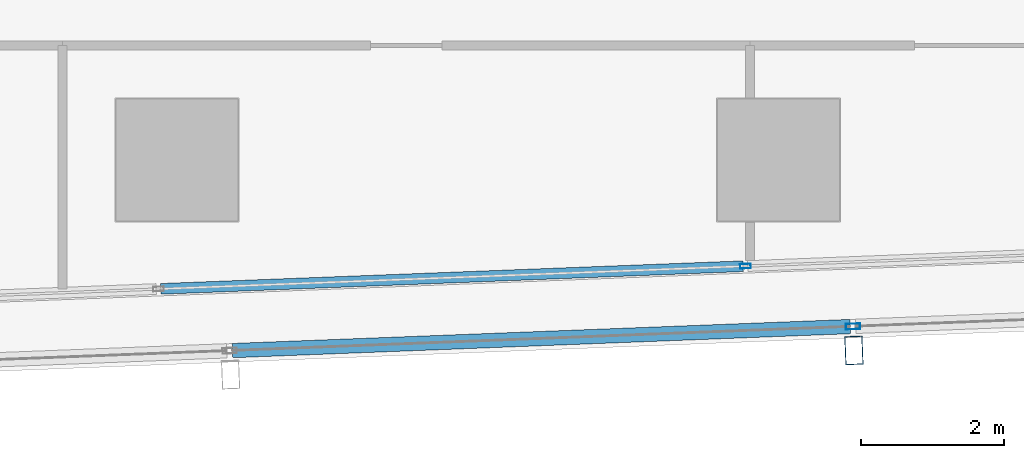
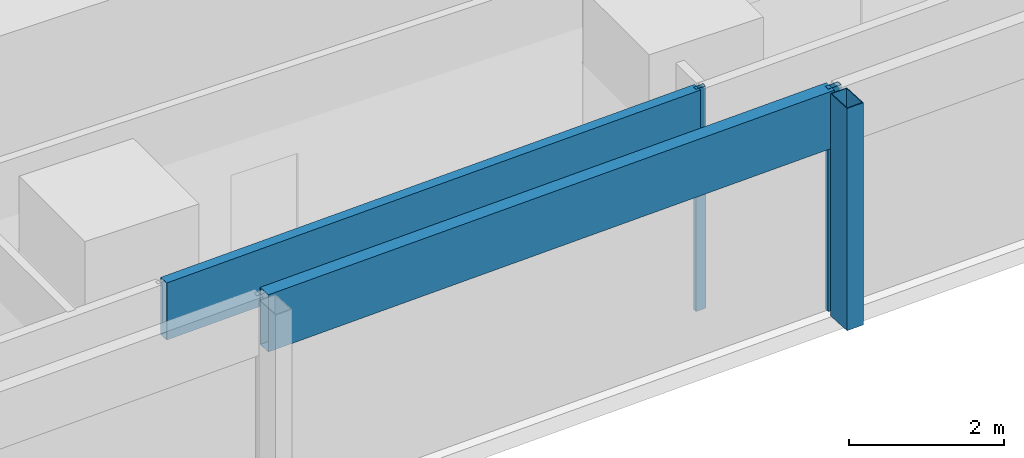
# One storey, part 10 of 40: 5 members, 2 elements without a shape of their own.
"""IFC4 building model written with IfcOpenShell, lengths in metres."""

from ifc_helpers import new_model, si_unit, direction, frame, origin, origin_2d, place, context, subcontext, project, spatial, hollow_rectangle, extrude, material, material_profile, profile_set, type_object, element, aggregate, save


model = new_model("IFC4")

# Units and contexts
model_context = context("Model", 3, precision=1e-05, world=origin(), true_north=direction((0.0, 1.0)))
body_context = subcontext(model_context, "Body", "Model", "MODEL_VIEW")
ifc_project = project(units=[si_unit("LENGTHUNIT", "METRE"), si_unit("AREAUNIT", "SQUARE_METRE"), si_unit("VOLUMEUNIT", "CUBIC_METRE"), si_unit("PLANEANGLEUNIT", "RADIAN"), si_unit("MASSUNIT", "GRAM", prefix="KILO")], contexts=[model_context])

# Site, building, storey
site_placement = place(None, origin())
site = spatial("IfcSite", under=ifc_project, at=site_placement, CompositionType="ELEMENT")
building_placement = place(site_placement, origin())
building = spatial("IfcBuilding", under=site, at=building_placement, Name="Rekha Terrace Tower", CompositionType="ELEMENT")
storey_placement = place(building_placement, frame((0.0, 0.0, 129.050048828125)))
storey = spatial("IfcBuildingStorey", under=building, at=storey_placement, Name="L32", CompositionType="ELEMENT", Elevation=129.050048828125)

# Curtain wall, member
ifc_material_1 = material(Name="Aluminium framing", Category="aluminium")
curtain_wall_type_1 = type_object("IfcCurtainWallType", Name="CW2 double skin outer glazing", PredefinedType="USERDEFINED", material=ifc_material_1)
curtain_wall_1_placement = place(storey_placement, origin())
curtain_wall_1 = element("IfcCurtainWall", 1, at=curtain_wall_1_placement, inside=storey, type_object=curtain_wall_type_1, Name="CW2 double skin outer glazing", ObjectType="DOUBLE SKIN OUTER GLAZING", PredefinedType="USERDEFINED")
ifc_material_2 = material(Name="Steel S355 with fluorocarbon finish", Category="steel")
ifc_material_profile_1 = material_profile(ifc_material_2, hollow_rectangle(XDim=0.25, YDim=0.39990234375, WallThickness=0.012451171875, at=origin_2d()), Name="RHS400x250x12.5")
ifc_profile_set_1 = profile_set([ifc_material_profile_1], Name="Steel S355 with fluorocarbon finish")
member_type_1 = type_object("IfcMemberType", Name="BL1 facade blade RHS 400 x 250", PredefinedType="USERDEFINED", material=ifc_profile_set_1)
member_1_placement = place(storey_placement, frame((51.4521484375, 14.141845703125, 0.0), z_axis=(0.0, 0.0, 1.0), x_axis=(0.999243494356, 0.038890088543, 0.0)))
member_1 = element("IfcMember", 2, at=member_1_placement, type_object=member_type_1, Name="Facade blade", ObjectType="FACADE BLADE", PredefinedType="USERDEFINED", context=body_context, shape_type="SweptSolid", body=[
    extrude(hollow_rectangle(XDim=0.25, YDim=0.39990234375, WallThickness=0.012451171875, at=origin_2d()), origin(), (0.0, 0.0, 1.0), 3.5),
])

# Curtain wall, members
curtain_wall_type_2 = type_object("IfcCurtainWallType", Name="CW1 double skin inner glazing", PredefinedType="USERDEFINED", material=ifc_material_1)
curtain_wall_2_placement = place(storey_placement, origin())
curtain_wall_2 = element("IfcCurtainWall", 3, at=curtain_wall_2_placement, inside=storey, type_object=curtain_wall_type_2, Name="CW1 double skin inner glazing", ObjectType="DOUBLE SKIN INNER GLAZING", PredefinedType="USERDEFINED")
ifc_material_3 = material(Name="Aluminium mullion section", Category="aluminium")
ifc_material_profile_2 = material_profile(ifc_material_3, hollow_rectangle(XDim=0.06494140625, YDim=0.14990234375, WallThickness=0.00390625, at=origin_2d()), Name="AL RHS 65x150")
ifc_profile_set_2 = profile_set([ifc_material_profile_2], Name="Aluminium mullion section")
member_type_2 = type_object("IfcMemberType", Name="CW1 mullion RHS 65 x 150", PredefinedType="MULLION", material=ifc_profile_set_2)
member_2_placement = place(storey_placement, frame((49.936767578125, 15.31884765625, 0.0), z_axis=(0.0, 0.0, 1.0), x_axis=(-0.038889971345, 0.999243498917, 0.0)))
member_2 = element("IfcMember", 4, at=member_2_placement, type_object=member_type_2, Name="CW1 mullion 4", PredefinedType="MULLION", context=body_context, shape_type="SweptSolid", body=[
    extrude(hollow_rectangle(XDim=0.06494140625, YDim=0.14990234375, WallThickness=0.00390625, at=origin_2d()), origin(), (0.0, 0.0, 1.0), 3.5),
])
ifc_material_4 = material(Name="Insulated aluminium spandrel box", Category="aluminium")
ifc_material_profile_3 = material_profile(ifc_material_4, hollow_rectangle(XDim=0.14990234375, YDim=0.89990234375, WallThickness=0.0029296875, at=origin_2d()), Name="AL SPANDREL BOX 150x900")
ifc_profile_set_3 = profile_set([ifc_material_profile_3], Name="Insulated aluminium spandrel box")
member_type_3 = type_object("IfcMemberType", Name="CW1 spandrel transom 150 x 900", PredefinedType="USERDEFINED", material=ifc_profile_set_3)
member_3_placement = place(storey_placement, frame((41.772705078125, 15.001220703125, 3.050048828125), z_axis=(0.999243835719, 0.038881316573, 0.0), x_axis=(-0.038881316573, 0.999243835719, 0.0)))
member_3 = element("IfcMember", 5, at=member_3_placement, type_object=member_type_3, Name="CW1 spandrel transom 3", ObjectType="TRANSOM", PredefinedType="USERDEFINED", context=body_context, shape_type="SweptSolid", body=[
    extrude(hollow_rectangle(XDim=0.14990234375, YDim=0.89990234375, WallThickness=0.0029296875, at=origin_2d()), origin(), (0.0, 0.0, 1.0), 8.1376953125),
])
aggregate(curtain_wall_2, [member_2, member_3])

# Member
ifc_material_profile_4 = material_profile(ifc_material_3, hollow_rectangle(XDim=0.080078125, YDim=0.199951171875, WallThickness=0.00390625, at=origin_2d()), Name="AL RHS 80x200")
ifc_profile_set_4 = profile_set([ifc_material_profile_4], Name="Aluminium mullion section")
member_type_4 = type_object("IfcMemberType", Name="CW2 mullion RHS 80 x 200", PredefinedType="MULLION", material=ifc_profile_set_4)
member_4_placement = place(storey_placement, frame((51.439208984375, 14.4765625, 0.0), z_axis=(0.0, 0.0, 1.0), x_axis=(-0.038889971345, 0.999243498917, 0.0)))
member_4 = element("IfcMember", 6, at=member_4_placement, type_object=member_type_4, Name="CW2 mullion 4", PredefinedType="MULLION", context=body_context, shape_type="SweptSolid", body=[
    extrude(hollow_rectangle(XDim=0.080078125, YDim=0.199951171875, WallThickness=0.00390625, at=origin_2d()), origin(), (0.0, 0.0, 1.0), 3.5),
])

ifc_material_profile_5 = material_profile(ifc_material_4, hollow_rectangle(XDim=0.199951171875, YDim=0.89990234375, WallThickness=0.0029296875, at=origin_2d()), Name="AL SPANDREL BOX 200x900")
ifc_profile_set_5 = profile_set([ifc_material_profile_5], Name="Insulated aluminium spandrel box")
member_type_5 = type_object("IfcMemberType", Name="CW2 spandrel transom 200 x 900", PredefinedType="USERDEFINED", material=ifc_profile_set_5)
member_5_placement = place(storey_placement, frame((42.774169921875, 14.139404296875, 3.050048828125), z_axis=(0.999243438523, 0.038891523097, 0.0), x_axis=(-0.038891523097, 0.999243438523, 0.0)))
member_5 = element("IfcMember", 7, at=member_5_placement, type_object=member_type_5, Name="CW2 spandrel transom 3", ObjectType="TRANSOM", PredefinedType="USERDEFINED", context=body_context, shape_type="SweptSolid", body=[
    extrude(hollow_rectangle(XDim=0.199951171875, YDim=0.89990234375, WallThickness=0.0029296875, at=origin_2d()), origin(), (0.0, 0.0, 1.0), 8.631591796875),
])

aggregate(curtain_wall_1, [member_4, member_5, member_1])

save(model, "model.ifc")
